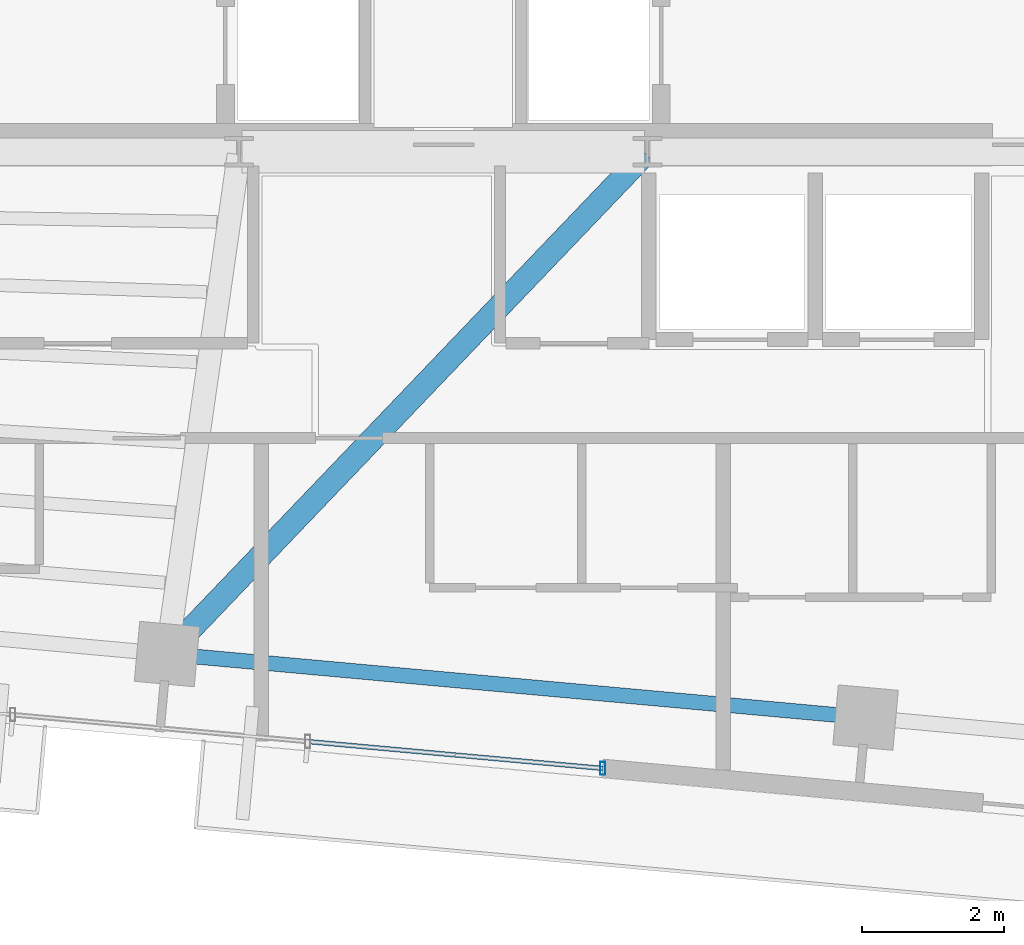
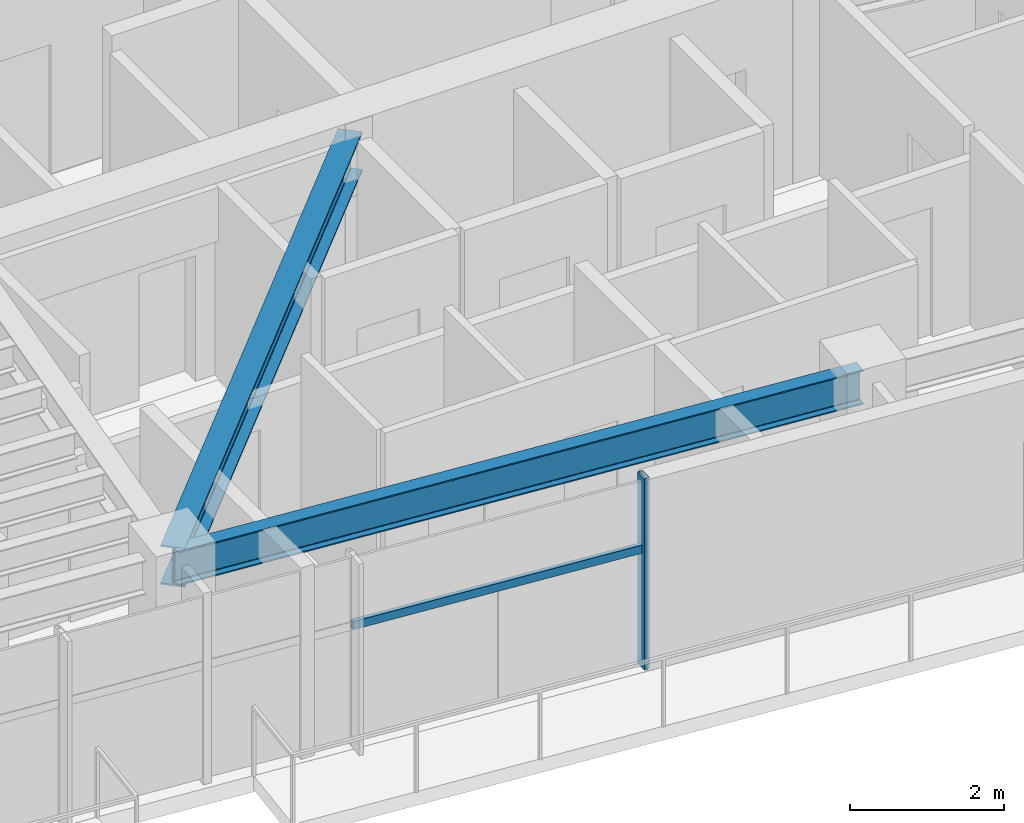
# One storey, part 7 of 22: 2 beams, 2 members, 1 element without a shape of its own.
"""IFC4 building model written with IfcOpenShell, lengths in metres."""

from ifc_helpers import new_model, si_unit, direction, frame, origin, origin_2d, place, context, subcontext, project, spatial, hollow_rectangle, i_section, extrude, source, transform, mapped, material, material_profile, profile_set, type_object, type_shapes, element, aggregate, save


model = new_model("IFC4")

# Units and contexts
model_context = context("Model", 3, precision=1e-05, world=origin(), true_north=direction((0.0, 1.0)))
body_context = subcontext(model_context, "Body", "Model", "MODEL_VIEW")
ifc_project = project(units=[si_unit("LENGTHUNIT", "METRE"), si_unit("AREAUNIT", "SQUARE_METRE"), si_unit("VOLUMEUNIT", "CUBIC_METRE"), si_unit("PLANEANGLEUNIT", "RADIAN"), si_unit("MASSUNIT", "GRAM", prefix="KILO")], contexts=[model_context])

# Site, building, storey
site_placement = place(None, origin())
site = spatial("IfcSite", under=ifc_project, at=site_placement, CompositionType="ELEMENT")
building_placement = place(site_placement, origin())
building = spatial("IfcBuilding", under=site, at=building_placement, Name="Astriad Promenade Condominiums", CompositionType="ELEMENT")
storey_placement = place(building_placement, frame((0.0, 0.0, 239.699951171875)))
storey = spatial("IfcBuildingStorey", under=building, at=storey_placement, Name="L69", CompositionType="ELEMENT", Elevation=239.699951171875)

# Beams
ifc_material_1 = material(Name="Steel ASTM A992 Grade 50", Category="steel")
ifc_material_profile_1 = material_profile(ifc_material_1, i_section(OverallWidth=0.210693359375, OverallDepth=0.53955078125, WebThickness=0.01171875, FlangeThickness=0.018798828125, FilletRadius=0.0166015625, at=origin_2d()), Name="W21X73")
ifc_profile_set_1 = profile_set([ifc_material_profile_1], Name="Steel ASTM A992 Grade 50")
beam_type_1 = type_object("IfcBeamType", Name="STEEL SPANDREL BEAM W21X73", PredefinedType="SPANDREL", material=ifc_profile_set_1)
shared_shape_1 = source(origin(), body_context, "Body", "SweptSolid", [
    extrude(i_section(OverallWidth=0.210693359375, OverallDepth=0.53955078125, WebThickness=0.01171875, FlangeThickness=0.018798828125, FilletRadius=0.0166015625, at=origin_2d()), origin(), (0.0, 0.0, 1.0), 9.820068359375),
])
type_shapes(beam_type_1, [shared_shape_1])
beam_1_placement = place(storey_placement, frame((32.14013671875, 10.30810546875, 2.770263671875), z_axis=(0.995885663174, -0.090618683965, 0.0), x_axis=(0.090618683965, 0.995885663174, 0.0)))
element("IfcBeam", 1, at=beam_1_placement, inside=storey, type_object=beam_type_1, Name="Perimeter Spandrel Beam SP-S3-L69", PredefinedType="SPANDREL", context=body_context, shape_type="MappedRepresentation", body=[
    mapped(shared_shape_1, transform((0.0, 0.0, 0.0), scale=1.0)),
])
ifc_material_profile_2 = material_profile(ifc_material_1, i_section(OverallWidth=0.326416015625, OverallDepth=0.621826171875, WebThickness=0.015380859375, FlangeThickness=0.0244140625, FilletRadius=0.017822265625, at=origin_2d()), Name="W24X131")
ifc_profile_set_2 = profile_set([ifc_material_profile_2], Name="Steel ASTM A992 Grade 50")
beam_type_2 = type_object("IfcBeamType", Name="STEEL FLOOR GIRDER W24X131", PredefinedType="BEAM", material=ifc_profile_set_2)
shared_shape_2 = source(origin(), body_context, "Body", "SweptSolid", [
    extrude(i_section(OverallWidth=0.326416015625, OverallDepth=0.621826171875, WebThickness=0.015380859375, FlangeThickness=0.0244140625, FilletRadius=0.017822265625, at=origin_2d()), origin(), (0.0, 0.0, 1.0), 9.728515625),
])
type_shapes(beam_type_2, [shared_shape_2])
beam_2_placement = place(storey_placement, frame((32.1279296875, 10.3408203125, 2.729248046875), z_axis=(0.691209540622, 0.722654392468, 0.0), x_axis=(-0.722654392468, 0.691209540622, 0.0)))
element("IfcBeam", 2, at=beam_2_placement, inside=storey, type_object=beam_type_2, Name="Primary Floor Girder PG-C2-L69", PredefinedType="BEAM", context=body_context, shape_type="MappedRepresentation", body=[
    mapped(shared_shape_2, transform((0.0, 0.0, 0.0), scale=1.0)),
])

# Curtain wall, members
ifc_material_2 = material(Name="Anodised aluminium Black Dark Glass Unitised", Category="aluminium")
curtain_wall_type = type_object("IfcCurtainWallType", Name="CW-B5-DARK", PredefinedType="USERDEFINED", material=ifc_material_2)
curtain_wall_placement = place(storey_placement, origin())
curtain_wall = element("IfcCurtainWall", 3, at=curtain_wall_placement, inside=storey, type_object=curtain_wall_type, Name="CW-L69-S", ObjectType="UNITISED_CURTAIN_WALL", PredefinedType="USERDEFINED")
ifc_material_3 = material(Name="Anodised aluminium 6063-T6 Black", Category="aluminium")
ifc_material_profile_3 = material_profile(ifc_material_3, hollow_rectangle(XDim=0.06494140625, YDim=0.1298828125, WallThickness=0.00390625, at=origin_2d()), Name="ALU-TRN-65X130")
ifc_profile_set_3 = profile_set([ifc_material_profile_3], Name="Anodised aluminium 6063-T6 Black")
member_type_1 = type_object("IfcMemberType", Name="TRN-ALU-TRN-65X130", PredefinedType="USERDEFINED", material=ifc_profile_set_3)
shared_shape_3 = source(origin(), body_context, "Body", "SweptSolid", [
    extrude(hollow_rectangle(XDim=0.06494140625, YDim=0.1298828125, WallThickness=0.00390625, at=origin_2d()), origin(), (0.0, 0.0, 1.0), 4.179931640625),
])
type_shapes(member_type_1, [shared_shape_3])
member_1_placement = place(storey_placement, frame((38.24951171875, 8.69775390625, 1.884765625), z_axis=(-0.995883146811, 0.090646334165, 0.0), x_axis=(-0.090646334165, -0.995883146811, 0.0)))
member_1 = element("IfcMember", 4, at=member_1_placement, type_object=member_type_1, Name="CW-L69-S-TRN-00-0", ObjectType="TRANSOM", PredefinedType="USERDEFINED", context=body_context, shape_type="MappedRepresentation", body=[
    mapped(shared_shape_3, transform((0.0, 0.0, 0.0), scale=1.0)),
])
ifc_material_profile_4 = material_profile(ifc_material_3, hollow_rectangle(XDim=0.074951171875, YDim=0.18505859375, WallThickness=0.00439453125, at=origin_2d()), Name="ALU-MUL-75X185")
ifc_profile_set_4 = profile_set([ifc_material_profile_4], Name="Anodised aluminium 6063-T6 Black")
member_type_2 = type_object("IfcMemberType", Name="MUL-ALU-MUL-75X185", PredefinedType="MULLION", material=ifc_profile_set_4)
shared_shape_4 = source(origin(), body_context, "Body", "SweptSolid", [
    extrude(hollow_rectangle(XDim=0.074951171875, YDim=0.18505859375, WallThickness=0.00439453125, at=origin_2d()), origin(), (0.0, 0.0, 1.0), 3.0400390625),
])
type_shapes(member_type_2, [shared_shape_4])
member_2_placement = place(storey_placement, frame((38.24951171875, 8.69775390625, 0.0), z_axis=(0.0, 0.0, 1.0), x_axis=(1.0, 0.0, 0.0)))
member_2 = element("IfcMember", 5, at=member_2_placement, type_object=member_type_2, Name="CW-L69-S-MUL-00", PredefinedType="MULLION", context=body_context, shape_type="MappedRepresentation", body=[
    mapped(shared_shape_4, transform((0.0, 0.0, 0.0), scale=1.0)),
])
aggregate(curtain_wall, [member_2, member_1])

save(model, "model.ifc")
